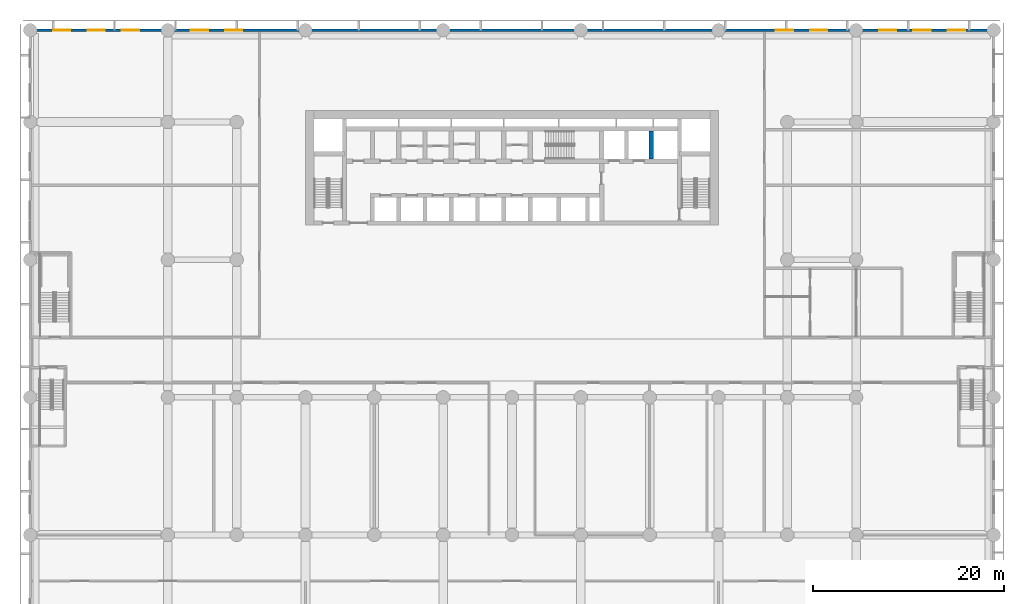
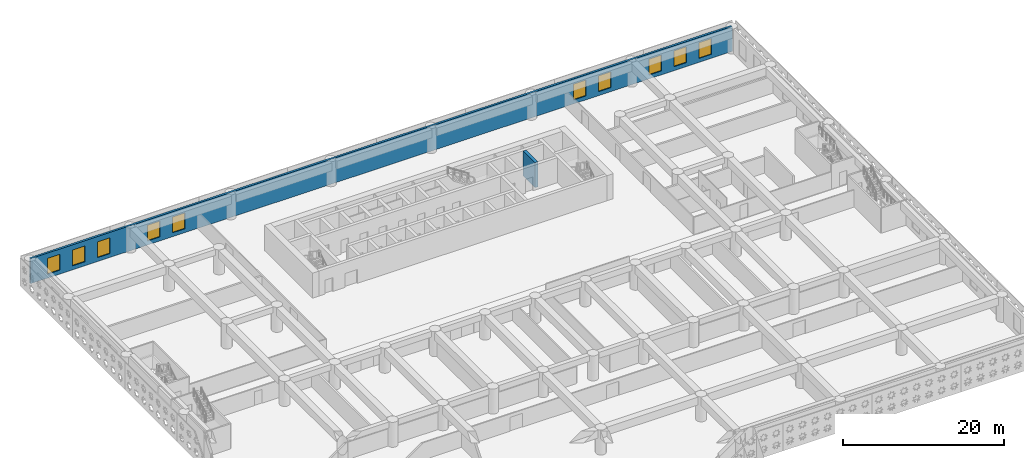
# One storey, part 8 of 23: 10 windows, 2 walls, 10 openings.
"""IFC4 building model written with IfcOpenShell, lengths in metres."""

from ifc_helpers import new_model, si_unit, direction, frame, frame_2d, origin, place, context, subcontext, project, spatial, rectangle, extrude, material, layer, layer_set, type_object, element, fill, save


model = new_model("IFC4")

# Units and contexts
model_context = context("Model", 3, precision=1e-05, world=origin(), true_north=direction((0.0, 1.0)))
body_context = subcontext(model_context, "Body", "Model", "MODEL_VIEW")
ifc_project = project(units=[si_unit("LENGTHUNIT", "METRE"), si_unit("AREAUNIT", "SQUARE_METRE"), si_unit("VOLUMEUNIT", "CUBIC_METRE"), si_unit("PLANEANGLEUNIT", "RADIAN"), si_unit("MASSUNIT", "GRAM", prefix="KILO")], contexts=[model_context])

# Site, building, storey
site_placement = place(None, origin())
site = spatial("IfcSite", under=ifc_project, at=site_placement, CompositionType="ELEMENT")
building_placement = place(site_placement, origin())
building = spatial("IfcBuilding", under=site, at=building_placement, Name="Saffron Iwan Residences", CompositionType="ELEMENT")
storey_placement = place(building_placement, frame((0.0, 0.0, 17.39990234375)))
storey = spatial("IfcBuildingStorey", under=building, at=storey_placement, Name="L03", CompositionType="ELEMENT", Elevation=17.39990234375)

# Wall, openings, windows
ifc_material_1 = material(Name="Precast concrete C40/50", Category="concrete")
ifc_layer_1 = layer(ifc_material_1, 0.300048828125)
ifc_layer_set_1 = layer_set([ifc_layer_1], Name="Precast concrete C40/50")
wall_type_1 = type_object("IfcWallType", Name="Podium external wall 300", PredefinedType="SOLIDWALL", material=ifc_layer_set_1)
wall_1_placement = place(storey_placement, frame((0.0, 86.39990234375, 0.0), z_axis=(0.0, 0.0, 1.0), x_axis=(1.0, 0.0, 0.0)))
wall_1 = element("IfcWall", 1, at=wall_1_placement, inside=storey, type_object=wall_type_1, Name="W-L03-024", PredefinedType="SOLIDWALL", context=body_context, shape_type="SweptSolid", body=[
    extrude(rectangle(XDim=100.800048828125, YDim=0.300048828125, at=frame_2d((50.39990234375, 0.0))), origin(), (0.0, 0.0, 1.0), 3.800048828125),
])
opening_1_placement = place(wall_1_placement, frame((2.39990234375, 0.0, 0.60009765625)))
opening_1 = element("IfcOpeningElement", 2, at=opening_1_placement, cuts=wall_1, Name="Opening W7", PredefinedType="OPENING", context=body_context, shape_type="SweptSolid", body=[
    extrude(rectangle(XDim=1.800048828125, YDim=2.39990234375, at=frame_2d((0.89990234375, 1.199951171875))), frame((0.0, 0.16015625, 0.0), z_axis=(0.0, -1.0, 0.0), x_axis=(1.0, 0.0, 0.0)), (0.0, 0.0, 1.0), 0.320068359375),
])
opening_2_placement = place(wall_1_placement, frame((6.0, 0.0, 0.60009765625)))
opening_2 = element("IfcOpeningElement", 3, at=opening_2_placement, cuts=wall_1, Name="Opening W7", PredefinedType="OPENING", context=body_context, shape_type="SweptSolid", body=[
    extrude(rectangle(XDim=1.800048828125, YDim=2.39990234375, at=frame_2d((0.89990234375, 1.199951171875))), frame((0.0, 0.16015625, 0.0), z_axis=(0.0, -1.0, 0.0), x_axis=(1.0, 0.0, 0.0)), (0.0, 0.0, 1.0), 0.320068359375),
])
opening_3_placement = place(wall_1_placement, frame((9.60009765625, 0.0, 0.60009765625)))
opening_3 = element("IfcOpeningElement", 4, at=opening_3_placement, cuts=wall_1, Name="Opening W7", PredefinedType="OPENING", context=body_context, shape_type="SweptSolid", body=[
    extrude(rectangle(XDim=1.800048828125, YDim=2.39990234375, at=frame_2d((0.89990234375, 1.199951171875))), frame((0.0, 0.16015625, 0.0), z_axis=(0.0, -1.0, 0.0), x_axis=(1.0, 0.0, 0.0)), (0.0, 0.0, 1.0), 0.320068359375),
])
opening_4_placement = place(wall_1_placement, frame((16.800048828125, 0.0, 0.60009765625)))
opening_4 = element("IfcOpeningElement", 5, at=opening_4_placement, cuts=wall_1, Name="Opening W7", PredefinedType="OPENING", context=body_context, shape_type="SweptSolid", body=[
    extrude(rectangle(XDim=1.800048828125, YDim=2.39990234375, at=frame_2d((0.89990234375, 1.199951171875))), frame((0.0, 0.16015625, 0.0), z_axis=(0.0, -1.0, 0.0), x_axis=(1.0, 0.0, 0.0)), (0.0, 0.0, 1.0), 0.320068359375),
])
opening_5_placement = place(wall_1_placement, frame((20.39990234375, 0.0, 0.60009765625)))
opening_5 = element("IfcOpeningElement", 6, at=opening_5_placement, cuts=wall_1, Name="Opening W7", PredefinedType="OPENING", context=body_context, shape_type="SweptSolid", body=[
    extrude(rectangle(XDim=1.800048828125, YDim=2.39990234375, at=frame_2d((0.89990234375, 1.199951171875))), frame((0.0, 0.16015625, 0.0), z_axis=(0.0, -1.0, 0.0), x_axis=(1.0, 0.0, 0.0)), (0.0, 0.0, 1.0), 0.320068359375),
])
opening_6_placement = place(wall_1_placement, frame((78.0, 0.0, 0.60009765625)))
opening_6 = element("IfcOpeningElement", 7, at=opening_6_placement, cuts=wall_1, Name="Opening W7", PredefinedType="OPENING", context=body_context, shape_type="SweptSolid", body=[
    extrude(rectangle(XDim=1.800048828125, YDim=2.39990234375, at=frame_2d((0.89990234375, 1.199951171875))), frame((0.0, 0.16015625, 0.0), z_axis=(0.0, -1.0, 0.0), x_axis=(1.0, 0.0, 0.0)), (0.0, 0.0, 1.0), 0.320068359375),
])
opening_7_placement = place(wall_1_placement, frame((81.60009765625, 0.0, 0.60009765625)))
opening_7 = element("IfcOpeningElement", 8, at=opening_7_placement, cuts=wall_1, Name="Opening W7", PredefinedType="OPENING", context=body_context, shape_type="SweptSolid", body=[
    extrude(rectangle(XDim=1.800048828125, YDim=2.39990234375, at=frame_2d((0.89990234375, 1.199951171875))), frame((0.0, 0.16015625, 0.0), z_axis=(0.0, -1.0, 0.0), x_axis=(1.0, 0.0, 0.0)), (0.0, 0.0, 1.0), 0.320068359375),
])
opening_8_placement = place(wall_1_placement, frame((88.800048828125, 0.0, 0.60009765625)))
opening_8 = element("IfcOpeningElement", 9, at=opening_8_placement, cuts=wall_1, Name="Opening W7", PredefinedType="OPENING", context=body_context, shape_type="SweptSolid", body=[
    extrude(rectangle(XDim=1.800048828125, YDim=2.39990234375, at=frame_2d((0.89990234375, 1.199951171875))), frame((0.0, 0.16015625, 0.0), z_axis=(0.0, -1.0, 0.0), x_axis=(1.0, 0.0, 0.0)), (0.0, 0.0, 1.0), 0.320068359375),
])
opening_9_placement = place(wall_1_placement, frame((92.39990234375, 0.0, 0.60009765625)))
opening_9 = element("IfcOpeningElement", 10, at=opening_9_placement, cuts=wall_1, Name="Opening W7", PredefinedType="OPENING", context=body_context, shape_type="SweptSolid", body=[
    extrude(rectangle(XDim=1.800048828125, YDim=2.39990234375, at=frame_2d((0.89990234375, 1.199951171875))), frame((0.0, 0.16015625, 0.0), z_axis=(0.0, -1.0, 0.0), x_axis=(1.0, 0.0, 0.0)), (0.0, 0.0, 1.0), 0.320068359375),
])
opening_10_placement = place(wall_1_placement, frame((96.0, 0.0, 0.60009765625)))
opening_10 = element("IfcOpeningElement", 11, at=opening_10_placement, cuts=wall_1, Name="Opening W7", PredefinedType="OPENING", context=body_context, shape_type="SweptSolid", body=[
    extrude(rectangle(XDim=1.800048828125, YDim=2.39990234375, at=frame_2d((0.89990234375, 1.199951171875))), frame((0.0, 0.16015625, 0.0), z_axis=(0.0, -1.0, 0.0), x_axis=(1.0, 0.0, 0.0)), (0.0, 0.0, 1.0), 0.320068359375),
])
ifc_material_2 = material(Name="Clear glass, laminated double glazed", Category="glass")
window_type = type_object("IfcWindowType", Name="WINDOW 1800 x 2400 PODIUM", PartitioningType="DOUBLE_PANEL_VERTICAL", PredefinedType="WINDOW", material=ifc_material_2)
window_1_placement = place(opening_1_placement, origin())
window_1 = element("IfcWindow", 12, at=window_1_placement, inside=storey, type_object=window_type, Name="Window L03 W-L03-024.0", OverallHeight=2.39990234375, OverallWidth=1.800048828125, PartitioningType="DOUBLE_PANEL_VERTICAL", PredefinedType="WINDOW", context=body_context, shape_type="SweptSolid", body=[
    extrude(rectangle(XDim=1.800048828125, YDim=2.39990234375, at=frame_2d((0.89990234375, 1.199951171875))), frame((0.0, 0.030029296875, 0.0), z_axis=(0.0, -1.0, 0.0), x_axis=(1.0, 0.0, 0.0)), (0.0, 0.0, 1.0), 0.06005859375),
])
fill(opening_1, window_1)
window_2_placement = place(opening_2_placement, origin())
window_2 = element("IfcWindow", 13, at=window_2_placement, inside=storey, type_object=window_type, Name="Window L03 W-L03-024.1", OverallHeight=2.39990234375, OverallWidth=1.800048828125, PartitioningType="DOUBLE_PANEL_VERTICAL", PredefinedType="WINDOW", context=body_context, shape_type="SweptSolid", body=[
    extrude(rectangle(XDim=1.800048828125, YDim=2.39990234375, at=frame_2d((0.89990234375, 1.199951171875))), frame((0.0, 0.030029296875, 0.0), z_axis=(0.0, -1.0, 0.0), x_axis=(1.0, 0.0, 0.0)), (0.0, 0.0, 1.0), 0.06005859375),
])
fill(opening_2, window_2)
window_3_placement = place(opening_3_placement, origin())
window_3 = element("IfcWindow", 14, at=window_3_placement, inside=storey, type_object=window_type, Name="Window L03 W-L03-024.2", OverallHeight=2.39990234375, OverallWidth=1.800048828125, PartitioningType="DOUBLE_PANEL_VERTICAL", PredefinedType="WINDOW", context=body_context, shape_type="SweptSolid", body=[
    extrude(rectangle(XDim=1.800048828125, YDim=2.39990234375, at=frame_2d((0.89990234375, 1.199951171875))), frame((0.0, 0.030029296875, 0.0), z_axis=(0.0, -1.0, 0.0), x_axis=(1.0, 0.0, 0.0)), (0.0, 0.0, 1.0), 0.06005859375),
])
fill(opening_3, window_3)
window_4_placement = place(opening_4_placement, origin())
window_4 = element("IfcWindow", 15, at=window_4_placement, inside=storey, type_object=window_type, Name="Window L03 W-L03-024.3", OverallHeight=2.39990234375, OverallWidth=1.800048828125, PartitioningType="DOUBLE_PANEL_VERTICAL", PredefinedType="WINDOW", context=body_context, shape_type="SweptSolid", body=[
    extrude(rectangle(XDim=1.800048828125, YDim=2.39990234375, at=frame_2d((0.89990234375, 1.199951171875))), frame((0.0, 0.030029296875, 0.0), z_axis=(0.0, -1.0, 0.0), x_axis=(1.0, 0.0, 0.0)), (0.0, 0.0, 1.0), 0.06005859375),
])
fill(opening_4, window_4)
window_5_placement = place(opening_5_placement, origin())
window_5 = element("IfcWindow", 16, at=window_5_placement, inside=storey, type_object=window_type, Name="Window L03 W-L03-024.4", OverallHeight=2.39990234375, OverallWidth=1.800048828125, PartitioningType="DOUBLE_PANEL_VERTICAL", PredefinedType="WINDOW", context=body_context, shape_type="SweptSolid", body=[
    extrude(rectangle(XDim=1.800048828125, YDim=2.39990234375, at=frame_2d((0.89990234375, 1.199951171875))), frame((0.0, 0.030029296875, 0.0), z_axis=(0.0, -1.0, 0.0), x_axis=(1.0, 0.0, 0.0)), (0.0, 0.0, 1.0), 0.06005859375),
])
fill(opening_5, window_5)
window_6_placement = place(opening_6_placement, origin())
window_6 = element("IfcWindow", 17, at=window_6_placement, inside=storey, type_object=window_type, Name="Window L03 W-L03-024.5", OverallHeight=2.39990234375, OverallWidth=1.800048828125, PartitioningType="DOUBLE_PANEL_VERTICAL", PredefinedType="WINDOW", context=body_context, shape_type="SweptSolid", body=[
    extrude(rectangle(XDim=1.800048828125, YDim=2.39990234375, at=frame_2d((0.89990234375, 1.199951171875))), frame((0.0, 0.030029296875, 0.0), z_axis=(0.0, -1.0, 0.0), x_axis=(1.0, 0.0, 0.0)), (0.0, 0.0, 1.0), 0.06005859375),
])
fill(opening_6, window_6)
window_7_placement = place(opening_7_placement, origin())
window_7 = element("IfcWindow", 18, at=window_7_placement, inside=storey, type_object=window_type, Name="Window L03 W-L03-024.6", OverallHeight=2.39990234375, OverallWidth=1.800048828125, PartitioningType="DOUBLE_PANEL_VERTICAL", PredefinedType="WINDOW", context=body_context, shape_type="SweptSolid", body=[
    extrude(rectangle(XDim=1.800048828125, YDim=2.39990234375, at=frame_2d((0.89990234375, 1.199951171875))), frame((0.0, 0.030029296875, 0.0), z_axis=(0.0, -1.0, 0.0), x_axis=(1.0, 0.0, 0.0)), (0.0, 0.0, 1.0), 0.06005859375),
])
fill(opening_7, window_7)
window_8_placement = place(opening_8_placement, origin())
window_8 = element("IfcWindow", 19, at=window_8_placement, inside=storey, type_object=window_type, Name="Window L03 W-L03-024.7", OverallHeight=2.39990234375, OverallWidth=1.800048828125, PartitioningType="DOUBLE_PANEL_VERTICAL", PredefinedType="WINDOW", context=body_context, shape_type="SweptSolid", body=[
    extrude(rectangle(XDim=1.800048828125, YDim=2.39990234375, at=frame_2d((0.89990234375, 1.199951171875))), frame((0.0, 0.030029296875, 0.0), z_axis=(0.0, -1.0, 0.0), x_axis=(1.0, 0.0, 0.0)), (0.0, 0.0, 1.0), 0.06005859375),
])
fill(opening_8, window_8)
window_9_placement = place(opening_9_placement, origin())
window_9 = element("IfcWindow", 20, at=window_9_placement, inside=storey, type_object=window_type, Name="Window L03 W-L03-024.8", OverallHeight=2.39990234375, OverallWidth=1.800048828125, PartitioningType="DOUBLE_PANEL_VERTICAL", PredefinedType="WINDOW", context=body_context, shape_type="SweptSolid", body=[
    extrude(rectangle(XDim=1.800048828125, YDim=2.39990234375, at=frame_2d((0.89990234375, 1.199951171875))), frame((0.0, 0.030029296875, 0.0), z_axis=(0.0, -1.0, 0.0), x_axis=(1.0, 0.0, 0.0)), (0.0, 0.0, 1.0), 0.06005859375),
])
fill(opening_9, window_9)
window_10_placement = place(opening_10_placement, origin())
window_10 = element("IfcWindow", 21, at=window_10_placement, inside=storey, type_object=window_type, Name="Window L03 W-L03-024.9", OverallHeight=2.39990234375, OverallWidth=1.800048828125, PartitioningType="DOUBLE_PANEL_VERTICAL", PredefinedType="WINDOW", context=body_context, shape_type="SweptSolid", body=[
    extrude(rectangle(XDim=1.800048828125, YDim=2.39990234375, at=frame_2d((0.89990234375, 1.199951171875))), frame((0.0, 0.030029296875, 0.0), z_axis=(0.0, -1.0, 0.0), x_axis=(1.0, 0.0, 0.0)), (0.0, 0.0, 1.0), 0.06005859375),
])
fill(opening_10, window_10)

# Wall
ifc_material_3 = material(Name="Concrete C60/75", Category="concrete")
ifc_layer_2 = layer(ifc_material_3, 0.449951171875)
ifc_layer_set_2 = layer_set([ifc_layer_2], Name="Concrete C60/75")
wall_type_2 = type_object("IfcWallType", Name="WALL CORE 450 C60/75 3800 HIGH", PredefinedType="SHEAR", material=ifc_layer_set_2)
wall_2_placement = place(storey_placement, frame((64.97509765625, 72.925048828125, 0.0), z_axis=(0.0, 0.0, 1.0), x_axis=(0.0, 1.0, 0.0)))
element("IfcWall", 22, at=wall_2_placement, inside=storey, type_object=wall_type_2, Name="Core wall", PredefinedType="SHEAR", context=body_context, shape_type="SweptSolid", body=[
    extrude(rectangle(XDim=2.949951171875, YDim=0.449951171875, at=frame_2d((1.47509765625, 0.0))), origin(), (0.0, 0.0, 1.0), 3.800048828125),
])

save(model, "model.ifc")
